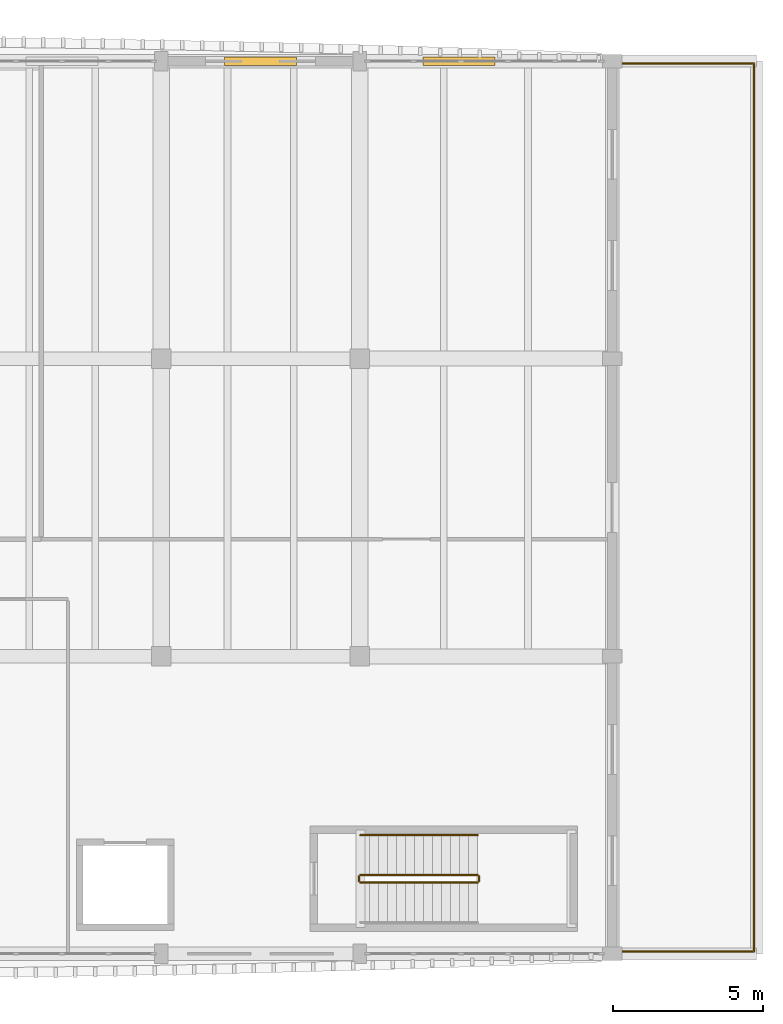
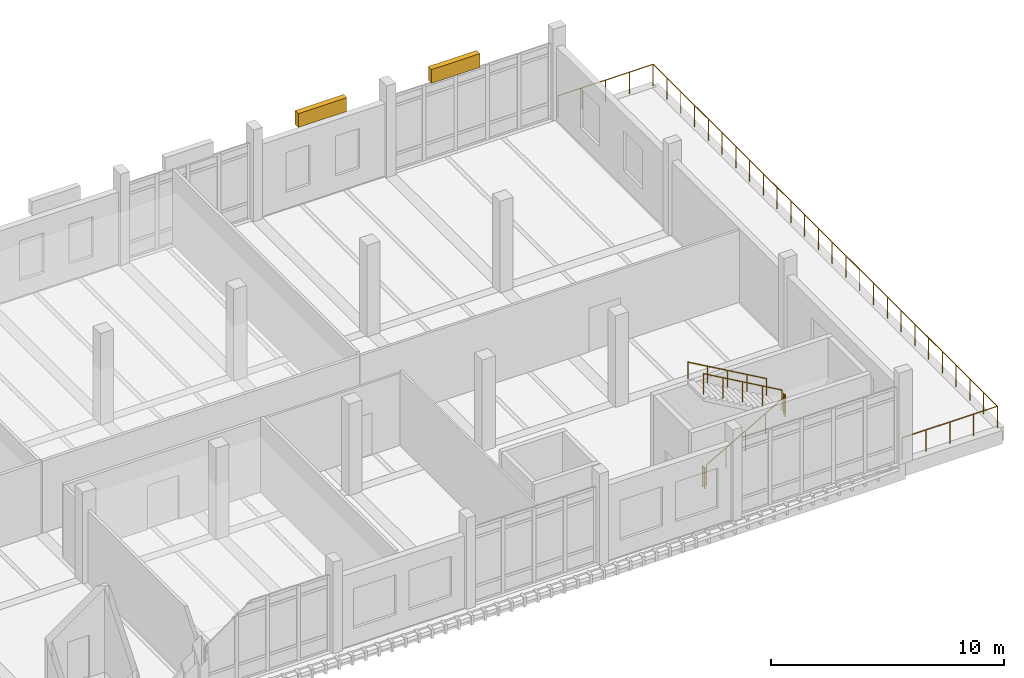
# One storey, part 33 of 39: 6 railings, 2 shading devices.
"""IFC4 building model written with IfcOpenShell, lengths in metres."""

from ifc_helpers import new_model, si_unit, direction, frame, origin, origin_2d, place, context, subcontext, project, spatial, rectangle, circle, extrude, material, layer, layer_set, type_object, element, save


model = new_model("IFC4")

# Units and contexts
model_context = context("Model", 3, precision=1e-05, world=origin(), true_north=direction((0.0, 1.0)))
body_context = subcontext(model_context, "Body", "Model", "MODEL_VIEW")
ifc_project = project(units=[si_unit("LENGTHUNIT", "METRE"), si_unit("AREAUNIT", "SQUARE_METRE"), si_unit("VOLUMEUNIT", "CUBIC_METRE"), si_unit("PLANEANGLEUNIT", "RADIAN"), si_unit("MASSUNIT", "GRAM", prefix="KILO")], contexts=[model_context])

# Site, building, storey
site_placement = place(None, origin())
site = spatial("IfcSite", under=ifc_project, at=site_placement, CompositionType="ELEMENT")
building_placement = place(site_placement, origin())
building = spatial("IfcBuilding", under=site, at=building_placement, Name="Dornvale Research Institute", CompositionType="ELEMENT")
storey_placement = place(building_placement, frame((0.0, 0.0, 24.60009765625)))
storey = spatial("IfcBuildingStorey", under=building, at=storey_placement, Name="L05", CompositionType="ELEMENT", Elevation=24.60009765625)

# Railings
ifc_material_1 = material(Name="Galvanized Painted Tubular Steel Stair Rail", Category="steel")
ifc_layer_1 = layer(ifc_material_1, 0.050048828125)
ifc_layer_set_1 = layer_set([ifc_layer_1], Name="Galvanized Painted Tubular Steel Stair Rail")
railing_type_1 = type_object("IfcRailingType", Name="Railing_Stair_Guard_1100", PredefinedType="GUARDRAIL", material=ifc_layer_set_1)
railing_1_placement = place(storey_placement, frame((165.02001953125, 94.77001953125, 0.17138671875)))
element("IfcRailing", 1, at=railing_1_placement, inside=storey, type_object=railing_type_1, Name="L05 ST-4 stair guard 1", PredefinedType="GUARDRAIL", context=body_context, shape_type="SweptSolid", body=[
    extrude(circle(Radius=0.02392578125, at=origin_2d()), frame((0.0, 0.0, 1.076171875), z_axis=(0.868243142124, 0.0, 0.496138938357), x_axis=(0.0, 1.0, 0.0)), (0.0, 0.0, 1.0), 4.49169921875),
    extrude(circle(Radius=0.02099609375, at=origin_2d()), origin(), (0.0, 0.0, 1.0), 1.052001953125),
    extrude(circle(Radius=0.02099609375, at=origin_2d()), frame((0.97509765625, 0.0, 0.55712890625)), (0.0, 0.0, 1.0), 1.052001953125),
    extrude(circle(Radius=0.02099609375, at=origin_2d()), frame((1.949951171875, 0.0, 1.1142578125)), (0.0, 0.0, 1.0), 1.052001953125),
    extrude(circle(Radius=0.02099609375, at=origin_2d()), frame((2.9248046875, 0.0, 1.67138671875)), (0.0, 0.0, 1.0), 1.052001953125),
    extrude(circle(Radius=0.02099609375, at=origin_2d()), frame((3.89990234375, 0.0, 2.228515625)), (0.0, 0.0, 1.0), 1.052001953125),
])
railing_2_placement = place(storey_placement, frame((168.969970703125, 94.820068359375, 2.39990234375)))
element("IfcRailing", 2, at=railing_2_placement, inside=storey, type_object=railing_type_1, Name="L05 ST-4 stair guard 2", PredefinedType="GUARDRAIL", context=body_context, shape_type="SweptSolid", body=[
    extrude(circle(Radius=0.02392578125, at=origin_2d()), frame((0.0, 0.0, 1.076171875), z_axis=(0.0, 1.0, 0.0), x_axis=(-1.0, 0.0, 0.0)), (0.0, 0.0, 1.0), 0.159912109375),
    extrude(circle(Radius=0.02099609375, at=origin_2d()), origin(), (0.0, 0.0, 1.0), 1.052001953125),
    extrude(circle(Radius=0.02099609375, at=origin_2d()), frame((0.0, 0.159912109375, 0.0)), (0.0, 0.0, 1.0), 1.052001953125),
])
railing_3_placement = place(storey_placement, frame((168.919921875, 95.030029296875, 2.5712890625)))
element("IfcRailing", 3, at=railing_3_placement, inside=storey, type_object=railing_type_1, Name="L05 ST-4 stair guard 3", PredefinedType="GUARDRAIL", context=body_context, shape_type="SweptSolid", body=[
    extrude(circle(Radius=0.02392578125, at=origin_2d()), frame((0.0, 0.0, 1.076171875), z_axis=(-0.868243142124, 0.0, 0.496138938357), x_axis=(0.0, -1.0, 0.0)), (0.0, 0.0, 1.0), 4.49169921875),
    extrude(circle(Radius=0.02099609375, at=origin_2d()), origin(), (0.0, 0.0, 1.0), 1.052001953125),
    extrude(circle(Radius=0.02099609375, at=origin_2d()), frame((-0.97509765625, 0.0, 0.55712890625)), (0.0, 0.0, 1.0), 1.052001953125),
    extrude(circle(Radius=0.02099609375, at=origin_2d()), frame((-1.949951171875, 0.0, 1.1142578125)), (0.0, 0.0, 1.0), 1.052001953125),
    extrude(circle(Radius=0.02099609375, at=origin_2d()), frame((-2.9248046875, 0.0, 1.67138671875)), (0.0, 0.0, 1.0), 1.052001953125),
    extrude(circle(Radius=0.02099609375, at=origin_2d()), frame((-3.89990234375, 0.0, 2.228515625)), (0.0, 0.0, 1.0), 1.052001953125),
])
railing_4_placement = place(storey_placement, frame((164.969970703125, 94.820068359375, 0.0)))
element("IfcRailing", 4, at=railing_4_placement, inside=storey, type_object=railing_type_1, Name="L05 ST-4 stair guard 4", PredefinedType="GUARDRAIL", context=body_context, shape_type="SweptSolid", body=[
    extrude(circle(Radius=0.02392578125, at=origin_2d()), frame((0.0, 0.0, 1.076171875), z_axis=(0.0, 1.0, 0.0), x_axis=(-1.0, 0.0, 0.0)), (0.0, 0.0, 1.0), 0.159912109375),
    extrude(circle(Radius=0.02099609375, at=origin_2d()), origin(), (0.0, 0.0, 1.0), 1.052001953125),
    extrude(circle(Radius=0.02099609375, at=origin_2d()), frame((0.0, 0.159912109375, 0.0)), (0.0, 0.0, 1.0), 1.052001953125),
])
ifc_material_2 = material(Name="Galvanized Painted Tubular Steel Stair Rail", Category="steel")
ifc_layer_2 = layer(ifc_material_2, 0.044921875)
ifc_layer_set_2 = layer_set([ifc_layer_2], Name="Galvanized Painted Tubular Steel Stair Rail")
railing_type_2 = type_object("IfcRailingType", Name="Railing_Stair_Handrail_900", PredefinedType="HANDRAIL", material=ifc_layer_set_2)
railing_5_placement = place(storey_placement, frame((168.919921875, 96.35009765625, 2.5712890625)))
element("IfcRailing", 5, at=railing_5_placement, inside=storey, type_object=railing_type_2, Name="L05 ST-4 stair handrail 2", PredefinedType="HANDRAIL", context=body_context, shape_type="SweptSolid", body=[
    extrude(circle(Radius=0.02392578125, at=origin_2d()), frame((0.0, 0.0, 0.8759765625), z_axis=(-0.868243142124, 0.0, 0.496138938357), x_axis=(0.0, -1.0, 0.0)), (0.0, 0.0, 1.0), 4.49169921875),
    extrude(circle(Radius=0.02099609375, at=origin_2d()), origin(), (0.0, 0.0, 1.0), 0.851806640625),
    extrude(circle(Radius=0.02099609375, at=origin_2d()), frame((-0.97509765625, 0.0, 0.55712890625)), (0.0, 0.0, 1.0), 0.851806640625),
    extrude(circle(Radius=0.02099609375, at=origin_2d()), frame((-1.949951171875, 0.0, 1.1142578125)), (0.0, 0.0, 1.0), 0.851806640625),
    extrude(circle(Radius=0.02099609375, at=origin_2d()), frame((-2.9248046875, 0.0, 1.67138671875)), (0.0, 0.0, 1.0), 0.851806640625),
    extrude(circle(Radius=0.02099609375, at=origin_2d()), frame((-3.89990234375, 0.0, 2.228515625)), (0.0, 0.0, 1.0), 0.851806640625),
])
ifc_material_3 = material(Name="Architectural Bronze-Anodized Steel Balustrade", Category="steel")
ifc_layer_3 = layer(ifc_material_3, 0.06005859375)
ifc_layer_set_3 = layer_set([ifc_layer_3], Name="Architectural Bronze-Anodized Steel Balustrade")
railing_type_3 = type_object("IfcRailingType", Name="Railing_Terrace_Guard_1150", PredefinedType="GUARDRAIL", material=ifc_layer_set_3)
railing_6_placement = place(storey_placement, frame((173.39990234375, 92.47998046875, 0.0)))
element("IfcRailing", 6, at=railing_6_placement, inside=storey, type_object=railing_type_3, Name="L05 outdoor terrace guard GR-01 #2", PredefinedType="GUARDRAIL", context=body_context, shape_type="SweptSolid", body=[
    extrude(circle(Radius=0.02392578125, at=origin_2d()), frame((0.0, 0.0, 1.1259765625), z_axis=(1.0, 0.0, 0.0), x_axis=(0.0, 1.0, 0.0)), (0.0, 0.0, 1.0), 4.72021484375),
    extrude(circle(Radius=0.02392578125, at=origin_2d()), frame((4.72021484375, 0.0, 1.1259765625), z_axis=(0.0, 1.0, 0.0), x_axis=(-1.0, 0.0, 0.0)), (0.0, 0.0, 1.0), 29.5400390625),
    extrude(circle(Radius=0.02392578125, at=origin_2d()), frame((4.72021484375, 29.5400390625, 1.1259765625), z_axis=(-1.0, 0.0, 0.0), x_axis=(0.0, -1.0, 0.0)), (0.0, 0.0, 1.0), 4.72021484375),
    extrude(circle(Radius=0.02099609375, at=origin_2d()), origin(), (0.0, 0.0, 1.0), 1.101806640625),
    extrude(circle(Radius=0.02099609375, at=origin_2d()), frame((1.18017578125, 0.0, 0.0)), (0.0, 0.0, 1.0), 1.101806640625),
    extrude(circle(Radius=0.02099609375, at=origin_2d()), frame((2.360107421875, 0.0, 0.0)), (0.0, 0.0, 1.0), 1.101806640625),
    extrude(circle(Radius=0.02099609375, at=origin_2d()), frame((3.5400390625, 0.0, 0.0)), (0.0, 0.0, 1.0), 1.101806640625),
    extrude(circle(Radius=0.02099609375, at=origin_2d()), frame((4.72021484375, 0.0, 0.0)), (0.0, 0.0, 1.0), 1.101806640625),
    extrude(circle(Radius=0.02099609375, at=origin_2d()), frame((4.72021484375, 1.181640625, 0.0)), (0.0, 0.0, 1.0), 1.101806640625),
    extrude(circle(Radius=0.02099609375, at=origin_2d()), frame((4.72021484375, 2.36328125, 0.0)), (0.0, 0.0, 1.0), 1.101806640625),
    extrude(circle(Radius=0.02099609375, at=origin_2d()), frame((4.72021484375, 3.544921875, 0.0)), (0.0, 0.0, 1.0), 1.101806640625),
    extrude(circle(Radius=0.02099609375, at=origin_2d()), frame((4.72021484375, 4.726318359375, 0.0)), (0.0, 0.0, 1.0), 1.101806640625),
    extrude(circle(Radius=0.02099609375, at=origin_2d()), frame((4.72021484375, 5.907958984375, 0.0)), (0.0, 0.0, 1.0), 1.101806640625),
    extrude(circle(Radius=0.02099609375, at=origin_2d()), frame((4.72021484375, 7.089599609375, 0.0)), (0.0, 0.0, 1.0), 1.101806640625),
    extrude(circle(Radius=0.02099609375, at=origin_2d()), frame((4.72021484375, 8.271240234375, 0.0)), (0.0, 0.0, 1.0), 1.101806640625),
    extrude(circle(Radius=0.02099609375, at=origin_2d()), frame((4.72021484375, 9.452880859375, 0.0)), (0.0, 0.0, 1.0), 1.101806640625),
    extrude(circle(Radius=0.02099609375, at=origin_2d()), frame((4.72021484375, 10.634521484375, 0.0)), (0.0, 0.0, 1.0), 1.101806640625),
    extrude(circle(Radius=0.02099609375, at=origin_2d()), frame((4.72021484375, 11.81591796875, 0.0)), (0.0, 0.0, 1.0), 1.101806640625),
    extrude(circle(Radius=0.02099609375, at=origin_2d()), frame((4.72021484375, 12.99755859375, 0.0)), (0.0, 0.0, 1.0), 1.101806640625),
    extrude(circle(Radius=0.02099609375, at=origin_2d()), frame((4.72021484375, 14.17919921875, 0.0)), (0.0, 0.0, 1.0), 1.101806640625),
    extrude(circle(Radius=0.02099609375, at=origin_2d()), frame((4.72021484375, 15.36083984375, 0.0)), (0.0, 0.0, 1.0), 1.101806640625),
    extrude(circle(Radius=0.02099609375, at=origin_2d()), frame((4.72021484375, 16.54248046875, 0.0)), (0.0, 0.0, 1.0), 1.101806640625),
    extrude(circle(Radius=0.02099609375, at=origin_2d()), frame((4.72021484375, 17.72412109375, 0.0)), (0.0, 0.0, 1.0), 1.101806640625),
    extrude(circle(Radius=0.02099609375, at=origin_2d()), frame((4.72021484375, 18.905517578125, 0.0)), (0.0, 0.0, 1.0), 1.101806640625),
    extrude(circle(Radius=0.02099609375, at=origin_2d()), frame((4.72021484375, 20.087158203125, 0.0)), (0.0, 0.0, 1.0), 1.101806640625),
    extrude(circle(Radius=0.02099609375, at=origin_2d()), frame((4.72021484375, 21.268798828125, 0.0)), (0.0, 0.0, 1.0), 1.101806640625),
    extrude(circle(Radius=0.02099609375, at=origin_2d()), frame((4.72021484375, 22.450439453125, 0.0)), (0.0, 0.0, 1.0), 1.101806640625),
    extrude(circle(Radius=0.02099609375, at=origin_2d()), frame((4.72021484375, 23.632080078125, 0.0)), (0.0, 0.0, 1.0), 1.101806640625),
    extrude(circle(Radius=0.02099609375, at=origin_2d()), frame((4.72021484375, 24.813720703125, 0.0)), (0.0, 0.0, 1.0), 1.101806640625),
    extrude(circle(Radius=0.02099609375, at=origin_2d()), frame((4.72021484375, 25.9951171875, 0.0)), (0.0, 0.0, 1.0), 1.101806640625),
    extrude(circle(Radius=0.02099609375, at=origin_2d()), frame((4.72021484375, 27.1767578125, 0.0)), (0.0, 0.0, 1.0), 1.101806640625),
    extrude(circle(Radius=0.02099609375, at=origin_2d()), frame((4.72021484375, 28.3583984375, 0.0)), (0.0, 0.0, 1.0), 1.101806640625),
    extrude(circle(Radius=0.02099609375, at=origin_2d()), frame((4.72021484375, 29.5400390625, 0.0)), (0.0, 0.0, 1.0), 1.101806640625),
    extrude(circle(Radius=0.02099609375, at=origin_2d()), frame((3.5400390625, 29.5400390625, 0.0)), (0.0, 0.0, 1.0), 1.101806640625),
    extrude(circle(Radius=0.02099609375, at=origin_2d()), frame((2.360107421875, 29.5400390625, 0.0)), (0.0, 0.0, 1.0), 1.101806640625),
    extrude(circle(Radius=0.02099609375, at=origin_2d()), frame((1.18017578125, 29.5400390625, 0.0)), (0.0, 0.0, 1.0), 1.101806640625),
    extrude(circle(Radius=0.02099609375, at=origin_2d()), frame((0.0, 29.5400390625, 0.0)), (0.0, 0.0, 1.0), 1.101806640625),
])

# Shading devices
ifc_material_4 = material(Name="Extruded Aluminum Acoustic Intake Louvre", Category="aluminium")
ifc_layer_4 = layer(ifc_material_4, 0.139892578125)
ifc_layer_set_4 = layer_set([ifc_layer_4], Name="Extruded Aluminum Acoustic Intake Louvre")
shading_device_type = type_object("IfcShadingDeviceType", Name="Shading_Acoustic_Louvre", PredefinedType="USERDEFINED", material=ifc_layer_set_4)
for number, where, z_axis, x_axis, name in (
    (7, (161.699951171875, 122.10009765625, 4.02001953125), (0.0, 0.0, 1.0), (1.0, 0.0, 0.0), "L05 V4 extruded aluminum acoustic louvre #44"),
    (8, (168.300048828125, 122.10009765625, 4.02001953125), (0.0, 0.0, 1.0), (1.0, 0.0, 0.0), "L05 V4 extruded aluminum acoustic louvre #45"),
):
    element("IfcShadingDevice", number, at=place(storey_placement, frame(where, z_axis=z_axis, x_axis=x_axis)), inside=storey, type_object=shading_device_type, Name=name, ObjectType="LOUVRE", PredefinedType="USERDEFINED", context=body_context, shape_type="SweptSolid", body=[
        extrude(rectangle(XDim=2.39990234375, YDim=0.280029296875, at=origin_2d()), origin(), (0.0, 0.0, 1.0), 0.719970703125),
    ])

save(model, "model.ifc")
